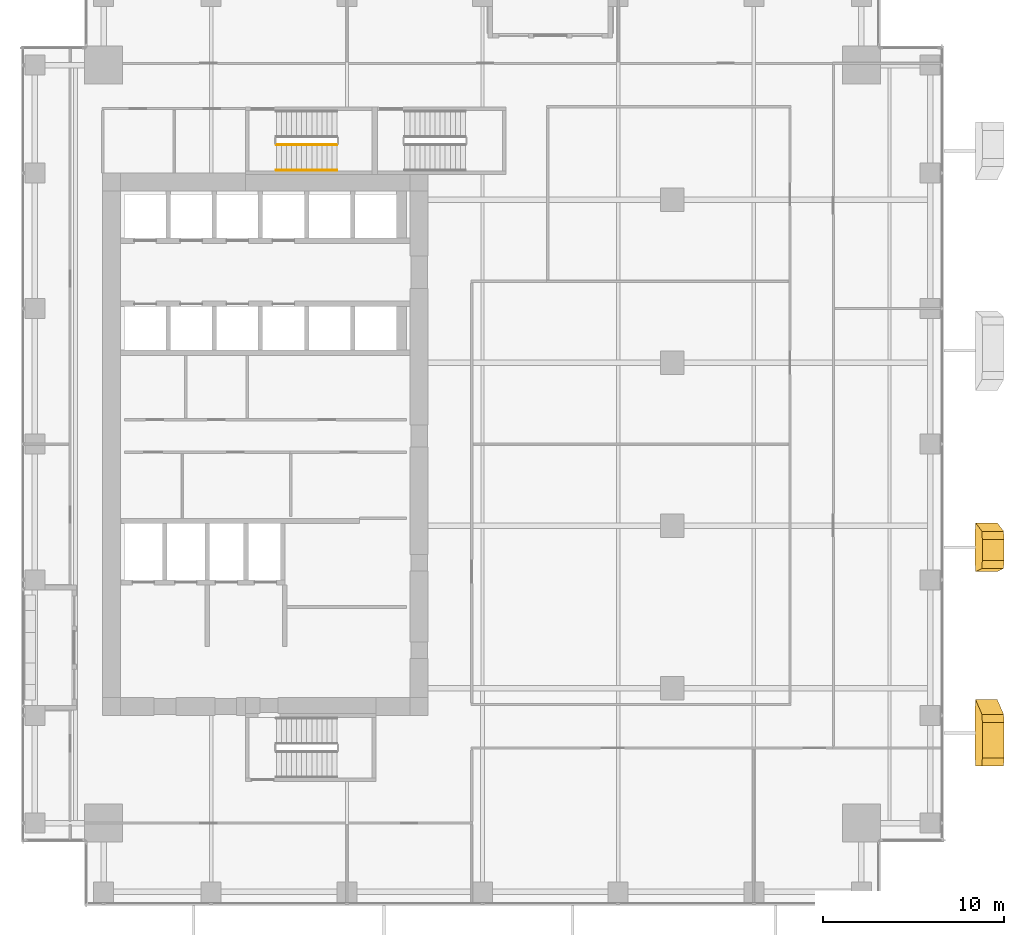
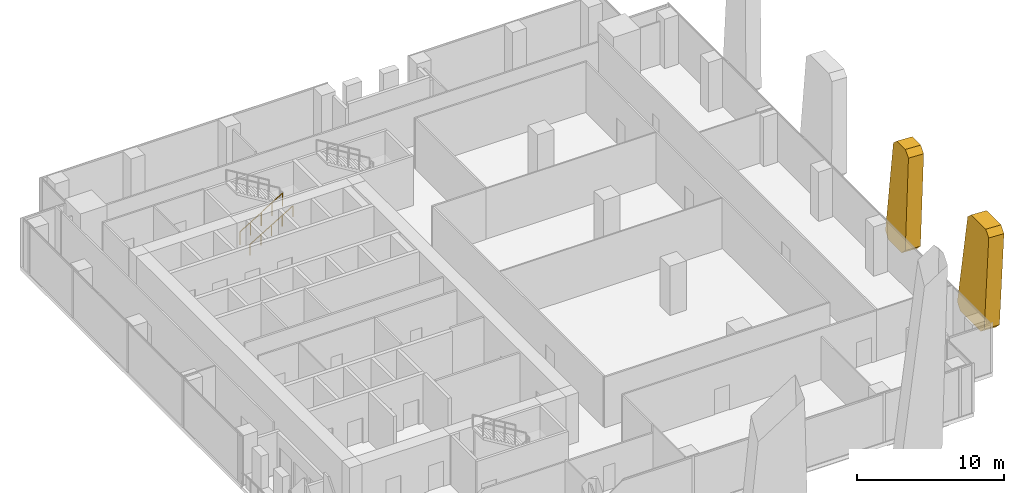
# One storey, part 33 of 35: 2 coverings, 2 railings.
"""IFC4 building model written with IfcOpenShell, lengths in metres."""

from ifc_helpers import new_model, si_unit, direction, frame, origin, origin_2d, place, context, subcontext, project, spatial, polyline, circle, outline, extrude, source, transform, mapped, material, layer, layer_set, type_object, element, save


model = new_model("IFC4")

# Units and contexts
model_context = context("Model", 3, precision=1e-05, world=origin(), true_north=direction((0.0, 1.0)))
body_context = subcontext(model_context, "Body", "Model", "MODEL_VIEW")
ifc_project = project(units=[si_unit("LENGTHUNIT", "METRE"), si_unit("AREAUNIT", "SQUARE_METRE"), si_unit("VOLUMEUNIT", "CUBIC_METRE"), si_unit("PLANEANGLEUNIT", "RADIAN"), si_unit("MASSUNIT", "GRAM", prefix="KILO")], contexts=[model_context])

# Site, building, storey
site_placement = place(None, origin())
site = spatial("IfcSite", under=ifc_project, at=site_placement, CompositionType="ELEMENT")
building_placement = place(site_placement, origin())
building = spatial("IfcBuilding", under=site, at=building_placement, Name="Khomas Fold Tower", CompositionType="ELEMENT")
storey_placement = place(building_placement, frame((0.0, 0.0, 119.10009765625)))
storey = spatial("IfcBuildingStorey", under=building, at=storey_placement, Name="L25", CompositionType="ELEMENT", Elevation=119.10009765625)

# Coverings
ifc_material_1 = material(Name="Natural stone cladding", Category="masonry")
ifc_layer = layer(ifc_material_1, 1.199951171875)
ifc_layer_set = layer_set([ifc_layer], Name="Natural stone cladding")
covering_type = type_object("IfcCoveringType", Name="SK-Karibib marble stone panel", PredefinedType="CLADDING", material=ifc_layer_set)
covering_1_placement = place(storey_placement, frame((54.61279296875, 12.066162109375, 7.9482421875), z_axis=(-0.9988745957, 7.01737e-06, 0.047429337076), x_axis=(-0.047154593001, 0.107332705728, -0.993104291925)))
element("IfcCovering", 1, at=covering_1_placement, inside=storey, type_object=covering_type, Name="OUTER SKIN leaf L25 ES03-1", PredefinedType="CLADDING", context=body_context, shape_type="SweptSolid", body=[
    extrude(outline(polyline([(0.0, 0.0), (7.501681576377745, -1.1102230246251565e-16), (7.949646991037547, 0.4982251324431274), (7.651887827173547, 3.256369116246725), (7.155731823545942, 3.6553714941573943), (-0.25951654529179985, 2.8548483297878287), (-0.659083595473774, 2.3591469565500285), (-0.44774612679797016, 0.4015273816687458), (0.0, 0.0)])), origin(), (0.0, 0.0, -1.0), 1.199951171875),
])
covering_2_placement = place(storey_placement, frame((54.61181640625, 22.18359375, 7.92822265625), z_axis=(-0.998874671247, 3.262281e-06, 0.047427746422), x_axis=(-0.047333565193, 0.062920540231, -0.996895450498)))
element("IfcCovering", 2, at=covering_2_placement, inside=storey, type_object=covering_type, Name="OUTER SKIN leaf L25 ES06-2", PredefinedType="CLADDING", context=body_context, shape_type="SweptSolid", body=[
    extrude(outline(polyline([(0.0, 0.0), (7.473153312595002, 5.551115123125783e-17), (7.9227496053351025, 0.4784556324435991), (7.8093820304075505, 2.276643333387325), (7.321011084081489, 2.6966982632861685), (-0.11159177948171159, 2.053688512586669), (-0.5223632496617072, 1.576946732571287), (-0.4495345677197663, 0.4217695116804733), (0.0, 0.0)])), origin(), (0.0, 0.0, -1.0), 1.199951171875),
])

# Railings
ifc_material_2 = material(Name="Steel balustrade", Category="steel")
railing_type_1 = type_object("IfcRailingType", Name="Stair guard", PredefinedType="GUARDRAIL", material=ifc_material_2)
shared_shape_1 = source(origin(), body_context, "Body", "SweptSolid", [
    extrude(circle(Radius=0.02392578125, at=origin_2d()), frame((0.0, 0.0, 1.076171875), z_axis=(0.855820338506, 0.0, 0.51727318527), x_axis=(0.0, 1.0, 0.0)), (0.0, 0.0, 1.0), 3.92578125),
    extrude(circle(Radius=0.02099609375, at=origin_2d()), origin(), (0.0, 0.0, 1.0), 1.052001953125),
    extrude(circle(Radius=0.02099609375, at=origin_2d()), frame((0.83984375, 0.0, 0.5078125)), (0.0, 0.0, 1.0), 1.052001953125),
    extrude(circle(Radius=0.02099609375, at=origin_2d()), frame((1.679931640625, 0.0, 1.015380859375)), (0.0, 0.0, 1.0), 1.052001953125),
    extrude(circle(Radius=0.02099609375, at=origin_2d()), frame((2.52001953125, 0.0, 1.52294921875)), (0.0, 0.0, 1.0), 1.052001953125),
    extrude(circle(Radius=0.02099609375, at=origin_2d()), frame((3.35986328125, 0.0, 2.03076171875)), (0.0, 0.0, 1.0), 1.052001953125),
])
railing_1_placement = place(storey_placement, frame((15.60009765625, 43.550048828125, 0.169189453125)))
element("IfcRailing", 3, at=railing_1_placement, inside=storey, type_object=railing_type_1, Name="L25 ST1 stair guard 1", PredefinedType="GUARDRAIL", context=body_context, shape_type="MappedRepresentation", body=[
    mapped(shared_shape_1, transform((0.0, 0.0, 0.0))),
])
ifc_material_3 = material(Name="Steel handrail", Category="steel")
railing_type_2 = type_object("IfcRailingType", Name="Stair handrail", PredefinedType="HANDRAIL", material=ifc_material_3)
shared_shape_2 = source(origin(), body_context, "Body", "SweptSolid", [
    extrude(circle(Radius=0.02392578125, at=origin_2d()), frame((0.0, 0.0, 0.8759765625), z_axis=(0.855820338506, 0.0, 0.51727318527), x_axis=(0.0, 1.0, 0.0)), (0.0, 0.0, 1.0), 3.92578125),
    extrude(circle(Radius=0.02099609375, at=origin_2d()), origin(), (0.0, 0.0, 1.0), 0.851806640625),
    extrude(circle(Radius=0.02099609375, at=origin_2d()), frame((0.83984375, 0.0, 0.5078125)), (0.0, 0.0, 1.0), 0.851806640625),
    extrude(circle(Radius=0.02099609375, at=origin_2d()), frame((1.679931640625, 0.0, 1.015380859375)), (0.0, 0.0, 1.0), 0.851806640625),
    extrude(circle(Radius=0.02099609375, at=origin_2d()), frame((2.52001953125, 0.0, 1.52294921875)), (0.0, 0.0, 1.0), 0.851806640625),
    extrude(circle(Radius=0.02099609375, at=origin_2d()), frame((3.35986328125, 0.0, 2.03076171875)), (0.0, 0.0, 1.0), 0.851806640625),
])
railing_2_placement = place(storey_placement, frame((15.60009765625, 42.14990234375, 0.169189453125)))
element("IfcRailing", 4, at=railing_2_placement, inside=storey, type_object=railing_type_2, Name="L25 ST1 stair handrail 1", PredefinedType="HANDRAIL", context=body_context, shape_type="MappedRepresentation", body=[
    mapped(shared_shape_2, transform((0.0, 0.0, 0.0))),
])

save(model, "model.ifc")
